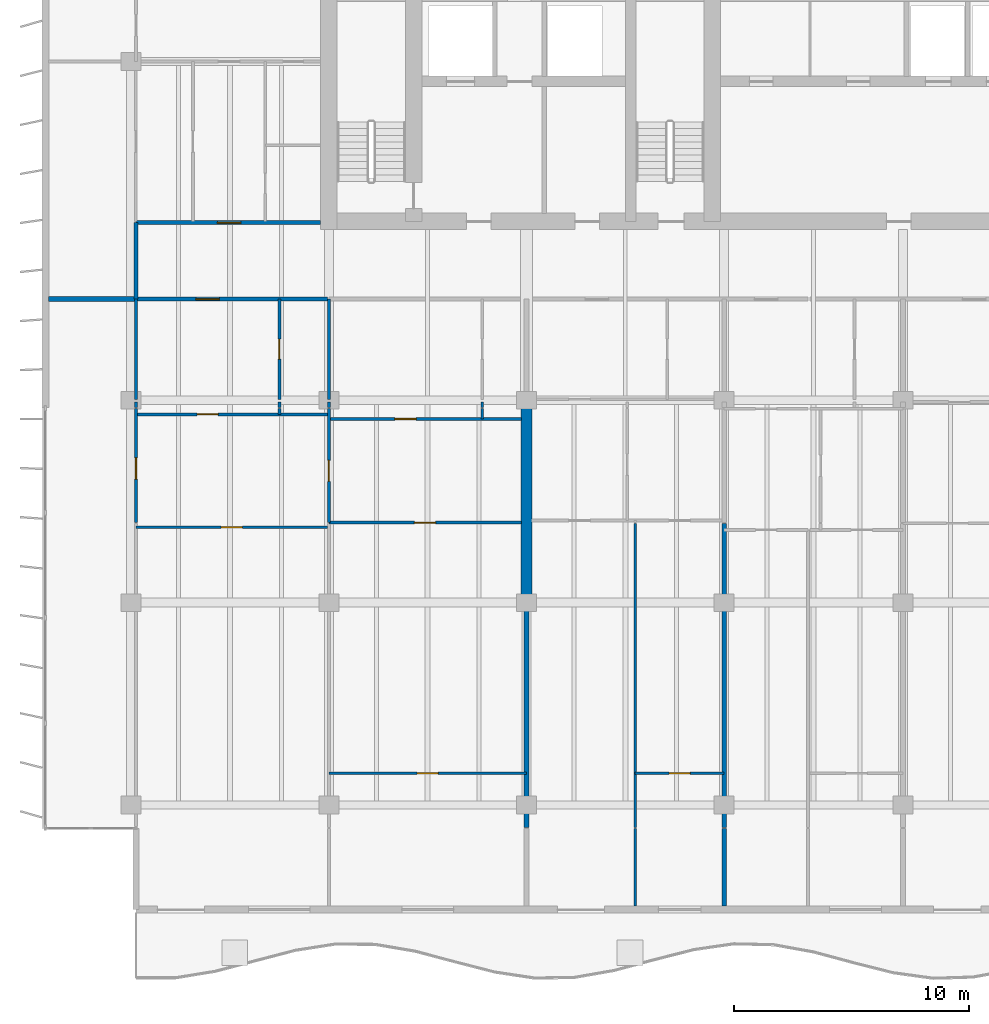
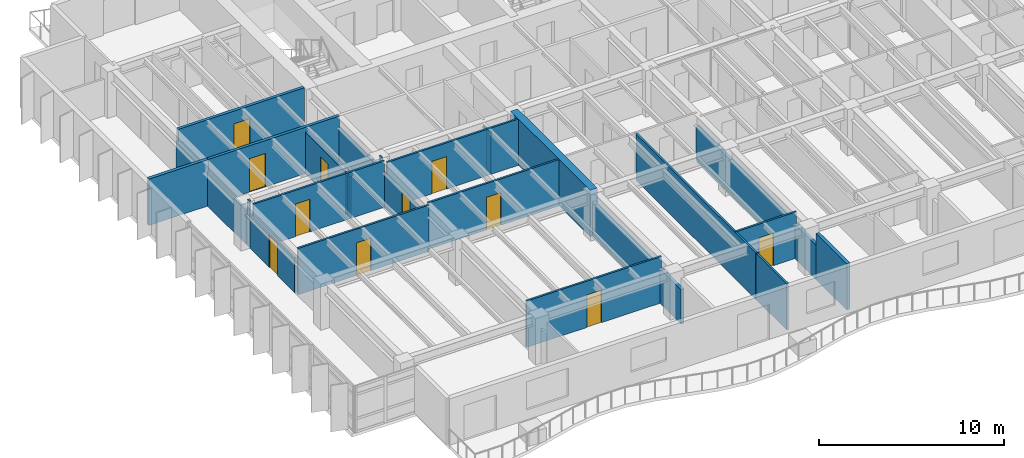
# One storey, part 8 of 19: 27 walls, 11 doors, 11 openings.
"""IFC4 building model written with IfcOpenShell, lengths in metres."""

from ifc_helpers import new_model, si_unit, direction, frame, frame_2d, origin, place, context, subcontext, project, spatial, rectangle, extrude, material, layer, layer_set, type_object, element, fill, save


model = new_model("IFC4")

# Units and contexts
model_context = context("Model", 3, precision=1e-05, world=origin(), true_north=direction((0.0, 1.0)))
body_context = subcontext(model_context, "Body", "Model", "MODEL_VIEW")
ifc_project = project(units=[si_unit("LENGTHUNIT", "METRE"), si_unit("AREAUNIT", "SQUARE_METRE"), si_unit("VOLUMEUNIT", "CUBIC_METRE"), si_unit("PLANEANGLEUNIT", "RADIAN"), si_unit("MASSUNIT", "GRAM", prefix="KILO")], contexts=[model_context])

# Site, building, storey
site_placement = place(None, origin())
site = spatial("IfcSite", under=ifc_project, at=site_placement, CompositionType="ELEMENT")
building_placement = place(site_placement, origin())
building = spatial("IfcBuilding", under=site, at=building_placement, Name="Caelmar Bay Residences", CompositionType="ELEMENT")
storey_placement = place(building_placement, frame((0.0, 0.0, 163.800048828125)))
storey = spatial("IfcBuildingStorey", under=building, at=storey_placement, Name="L45", CompositionType="ELEMENT", Elevation=163.800048828125)

# Walls
ifc_material_1 = material(Name="Concrete f'c 55 MPa (8,000 psi)", Category="concrete")
ifc_layer_1 = layer(ifc_material_1, 0.449951171875)
ifc_layer_set_1 = layer_set([ifc_layer_1], Name="Concrete f'c 55 MPa (8,000 psi)")
wall_type_1 = type_object("IfcWallType", Name="SW-XSLB-450", PredefinedType="SHEAR", material=ifc_layer_set_1)
wall_1_placement = place(storey_placement, frame((26.699951171875, 20.800048828125, 0.0), z_axis=(0.0, 0.0, 1.0), x_axis=(0.0, 1.0, 0.0)))
element("IfcWall", 1, at=wall_1_placement, inside=storey, type_object=wall_type_1, Name="L45 Transverse Cross-Slab Shear Wall W5", PredefinedType="SHEAR", context=body_context, shape_type="SweptSolid", body=[
    extrude(rectangle(XDim=8.599853515625, YDim=0.449951171875, at=frame_2d((4.2998046875, 0.0))), origin(), (0.0, 0.0, 1.0), 3.050048828125),
])
ifc_material_2 = material(Name="Double-stud acoustic fire-rated gypsum partition 180 mm")
ifc_layer_2 = layer(ifc_material_2, 0.179931640625)
ifc_layer_set_2 = layer_set([ifc_layer_2], Name="Double-stud acoustic fire-rated gypsum partition 180 mm")
wall_type_2 = type_object("IfcWallType", Name="W-COR-200", PredefinedType="PARTITIONING", material=ifc_layer_set_2)
wall_2_placement = place(storey_placement, frame((10.10009765625, 33.705078125, 0.0), z_axis=(0.0, 0.0, 1.0), x_axis=(0.0, 1.0, 0.0)))
element("IfcWall", 2, at=wall_2_placement, inside=storey, type_object=wall_type_2, Name="L45 Partition Wall V005", PredefinedType="PARTITIONING", context=body_context, shape_type="SweptSolid", body=[
    extrude(rectangle(XDim=3.244873046875, YDim=0.179931640625, at=frame_2d((1.62255859375, 0.0))), origin(), (0.0, 0.0, 1.0), 2.262939453125),
])

# Wall, opening, door
wall_3_placement = place(storey_placement, frame((10.10498046875, 33.699951171875, 0.0), z_axis=(0.0, 0.0, 1.0), x_axis=(1.0, 0.0, 0.0)))
wall_3 = element("IfcWall", 3, at=wall_3_placement, inside=storey, type_object=wall_type_2, Name="L45 Partition Wall H114", PredefinedType="PARTITIONING", context=body_context, shape_type="SweptSolid", body=[
    extrude(rectangle(XDim=8.14501953125, YDim=0.179931640625, at=frame_2d((4.072509765625, 0.0))), origin(), (0.0, 0.0, 1.0), 3.050048828125),
])
opening_1_placement = place(wall_3_placement, frame((2.54638671875, 0.0, 0.0)))
opening_1 = element("IfcOpeningElement", 4, at=opening_1_placement, cuts=wall_3, Name="Opening D-L45-122", PredefinedType="OPENING", context=body_context, shape_type="SweptSolid", body=[
    extrude(rectangle(XDim=1.0, YDim=2.199951171875, at=frame_2d((0.5, 1.10009765625))), frame((0.0, 0.099853515625, 0.0), z_axis=(0.0, -1.0, 0.0), x_axis=(1.0, 0.0, 0.0)), (0.0, 0.0, 1.0), 0.199951171875),
])
ifc_material_3 = material(Name="Fire-rated steel and walnut architectural door assembly", Category="steel")
ifc_layer_3 = layer(ifc_material_3, 0.050048828125)
ifc_layer_set_3 = layer_set([ifc_layer_3], Name="Fire-rated steel and walnut architectural door assembly")
door_type_1 = type_object("IfcDoorType", Name="D-UNIT-1000", OperationType="NOTDEFINED", PredefinedType="DOOR", material=ifc_layer_set_3)
door_1_placement = place(opening_1_placement, origin())
door_1 = element("IfcDoor", 5, at=door_1_placement, inside=storey, type_object=door_type_1, Name="L45 Residence 01 Apartment Hall Door", OperationType="SINGLE_SWING_RIGHT", OverallHeight=2.199951171875, OverallWidth=1.0, PredefinedType="DOOR", context=body_context, shape_type="SweptSolid", body=[
    extrude(rectangle(XDim=1.0, YDim=2.199951171875, at=frame_2d((0.5, 1.10009765625))), frame((0.0, 0.02490234375, 0.0), z_axis=(0.0, -1.0, 0.0), x_axis=(1.0, 0.0, 0.0)), (0.0, 0.0, 1.0), 0.050048828125),
])
fill(opening_1, door_1)

wall_4_placement = place(storey_placement, frame((10.10009765625, 36.949951171875, 0.0), z_axis=(0.0, 0.0, 1.0), x_axis=(1.0, 0.0, 0.0)))
wall_4 = element("IfcWall", 6, at=wall_4_placement, inside=storey, type_object=wall_type_2, Name="L45 Partition Wall H119", PredefinedType="PARTITIONING", context=body_context, shape_type="SweptSolid", body=[
    extrude(rectangle(XDim=7.844970703125, YDim=0.179931640625, at=frame_2d((3.92236328125, 0.0))), origin(), (0.0, 0.0, 1.0), 3.050048828125),
])
opening_2_placement = place(wall_4_placement, frame((3.4599609375, 0.0, 0.0)))
opening_2 = element("IfcOpeningElement", 7, at=opening_2_placement, cuts=wall_4, Name="Opening D-L45-165", PredefinedType="OPENING", context=body_context, shape_type="SweptSolid", body=[
    extrude(rectangle(XDim=1.0, YDim=2.199951171875, at=frame_2d((0.5, 1.10009765625))), frame((0.0, 0.099853515625, 0.0), z_axis=(0.0, -1.0, 0.0), x_axis=(1.0, 0.0, 0.0)), (0.0, 0.0, 1.0), 0.199951171875),
])
door_2_placement = place(opening_2_placement, origin())
door_2 = element("IfcDoor", 8, at=door_2_placement, inside=storey, type_object=door_type_1, Name="L45 Residence WA Kitchen Door", OperationType="SINGLE_SWING_LEFT", OverallHeight=2.199951171875, OverallWidth=1.0, PredefinedType="DOOR", context=body_context, shape_type="SweptSolid", body=[
    extrude(rectangle(XDim=1.0, YDim=2.199951171875, at=frame_2d((0.5, 1.10009765625))), frame((0.0, 0.02490234375, 0.0), z_axis=(0.0, -1.0, 0.0), x_axis=(1.0, 0.0, 0.0)), (0.0, 0.0, 1.0), 0.050048828125),
])
fill(opening_2, door_2)

ifc_material_4 = material(Name="Acoustic metal-stud gypsum partition 120 mm")
ifc_layer_4 = layer(ifc_material_4, 0.1201171875)
ifc_layer_set_4 = layer_set([ifc_layer_4], Name="Acoustic metal-stud gypsum partition 120 mm")
wall_type_3 = type_object("IfcWallType", Name="W-PRT-120", PredefinedType="PARTITIONING", material=ifc_layer_set_4)
wall_5_placement = place(storey_placement, frame((10.10009765625, 24.199951171875, 0.0), z_axis=(0.0, 0.0, 1.0), x_axis=(0.0, 1.0, 0.0)))
wall_5 = element("IfcWall", 9, at=wall_5_placement, inside=storey, type_object=wall_type_3, Name="L45 Partition Wall V002", PredefinedType="PARTITIONING", context=body_context, shape_type="SweptSolid", body=[
    extrude(rectangle(XDim=4.840087890625, YDim=0.1201171875, at=frame_2d((2.419921875, 0.0))), origin(), (0.0, 0.0, 1.0), 2.262939453125),
])
opening_3_placement = place(wall_5_placement, frame((1.85009765625, 0.0, 0.0)))
opening_3 = element("IfcOpeningElement", 10, at=opening_3_placement, cuts=wall_5, Name="Opening D-L45-162", PredefinedType="OPENING", context=body_context, shape_type="SweptSolid", body=[
    extrude(rectangle(XDim=0.89990234375, YDim=2.14990234375, at=frame_2d((0.449951171875, 1.074951171875))), frame((0.0, 0.070068359375, 0.0), z_axis=(0.0, -1.0, 0.0), x_axis=(1.0, 0.0, 0.0)), (0.0, 0.0, 1.0), 0.14013671875),
])
ifc_material_5 = material(Name="Solid walnut timber interior door leaf and frame", Category="wood")
ifc_layer_5 = layer(ifc_material_5, 0.050048828125)
ifc_layer_set_5 = layer_set([ifc_layer_5], Name="Solid walnut timber interior door leaf and frame")
door_type_2 = type_object("IfcDoorType", Name="D-ROOM-900", OperationType="NOTDEFINED", PredefinedType="DOOR", material=ifc_layer_set_5)
door_3_placement = place(opening_3_placement, origin())
door_3 = element("IfcDoor", 11, at=door_3_placement, inside=storey, type_object=door_type_2, Name="L45 Residence 01 Penthouse West Salon Door", OperationType="SINGLE_SWING_RIGHT", OverallHeight=2.14990234375, OverallWidth=0.89990234375, PredefinedType="DOOR", context=body_context, shape_type="SweptSolid", body=[
    extrude(rectangle(XDim=0.89990234375, YDim=2.14990234375, at=frame_2d((0.449951171875, 1.074951171875))), frame((0.0, 0.02490234375, 0.0), z_axis=(0.0, -1.0, 0.0), x_axis=(1.0, 0.0, 0.0)), (0.0, 0.0, 1.0), 0.050048828125),
])
fill(opening_3, door_3)

# Walls
wall_6_placement = place(storey_placement, frame((10.10009765625, 29.10009765625, 0.0), z_axis=(0.0, 0.0, 1.0), x_axis=(0.0, 1.0, 0.0)))
element("IfcWall", 12, at=wall_6_placement, inside=storey, type_object=wall_type_3, Name="L45 Partition Wall V003", PredefinedType="PARTITIONING", context=body_context, shape_type="SweptSolid", body=[
    extrude(rectangle(XDim=0.219970703125, YDim=0.1201171875, at=frame_2d((0.10986328125, 0.0))), origin(), (0.0, 0.0, 1.0), 3.050048828125),
])
wall_7_placement = place(storey_placement, frame((10.10009765625, 29.43994140625, 0.0), z_axis=(0.0, 0.0, 1.0), x_axis=(0.0, 1.0, 0.0)))
element("IfcWall", 13, at=wall_7_placement, inside=storey, type_object=wall_type_3, Name="L45 Partition Wall V004", PredefinedType="PARTITIONING", context=body_context, shape_type="SweptSolid", body=[
    extrude(rectangle(XDim=4.260009765625, YDim=0.1201171875, at=frame_2d((2.1298828125, 0.0))), origin(), (0.0, 0.0, 1.0), 2.262939453125),
])
wall_8_placement = place(storey_placement, frame((16.197998046875, 28.800048828125, 0.0), z_axis=(0.0, 0.0, 1.0), x_axis=(0.0, 1.0, 0.0)))
element("IfcWall", 14, at=wall_8_placement, inside=storey, type_object=wall_type_3, Name="L45 Partition Wall V010", PredefinedType="PARTITIONING", context=body_context, shape_type="SweptSolid", body=[
    extrude(rectangle(XDim=0.239990234375, YDim=0.1201171875, at=frame_2d((0.1201171875, 0.0))), origin(), (0.0, 0.0, 1.0), 2.724853515625),
])
wall_9_placement = place(storey_placement, frame((16.197998046875, 29.10009765625, 0.0), z_axis=(0.0, 0.0, 1.0), x_axis=(0.0, 1.0, 0.0)))
element("IfcWall", 15, at=wall_9_placement, inside=storey, type_object=wall_type_3, Name="L45 Partition Wall V011", PredefinedType="PARTITIONING", context=body_context, shape_type="SweptSolid", body=[
    extrude(rectangle(XDim=0.219970703125, YDim=0.1201171875, at=frame_2d((0.10986328125, 0.0))), origin(), (0.0, 0.0, 1.0), 2.724853515625),
])

# Wall, opening, door
wall_10_placement = place(storey_placement, frame((16.197998046875, 29.43994140625, 0.0), z_axis=(0.0, 0.0, 1.0), x_axis=(0.0, 1.0, 0.0)))
wall_10 = element("IfcWall", 16, at=wall_10_placement, inside=storey, type_object=wall_type_3, Name="L45 Partition Wall V012", PredefinedType="PARTITIONING", context=body_context, shape_type="SweptSolid", body=[
    extrude(rectangle(XDim=4.260009765625, YDim=0.1201171875, at=frame_2d((2.1298828125, 0.0))), origin(), (0.0, 0.0, 1.0), 2.724853515625),
])
opening_4_placement = place(wall_10_placement, frame((1.705078125, 0.0, 0.0)))
opening_4 = element("IfcOpeningElement", 17, at=opening_4_placement, cuts=wall_10, Name="Opening D-L45-123", PredefinedType="OPENING", context=body_context, shape_type="SweptSolid", body=[
    extrude(rectangle(XDim=0.85009765625, YDim=2.10009765625, at=frame_2d((0.425048828125, 1.050048828125))), frame((0.0, 0.070068359375, 0.0), z_axis=(0.0, -1.0, 0.0), x_axis=(1.0, 0.0, 0.0)), (0.0, 0.0, 1.0), 0.14013671875),
])
ifc_layer_6 = layer(ifc_material_5, 0.050048828125)
ifc_layer_set_6 = layer_set([ifc_layer_6], Name="Solid walnut timber interior door leaf and frame")
door_type_3 = type_object("IfcDoorType", Name="D-BATH-850", OperationType="NOTDEFINED", PredefinedType="DOOR", material=ifc_layer_set_6)
door_4_placement = place(opening_4_placement, origin())
door_4 = element("IfcDoor", 18, at=door_4_placement, inside=storey, type_object=door_type_3, Name="L45 Residence 01 Guest Bathroom Door", OperationType="SINGLE_SWING_LEFT", OverallHeight=2.10009765625, OverallWidth=0.85009765625, PredefinedType="DOOR", context=body_context, shape_type="SweptSolid", body=[
    extrude(rectangle(XDim=0.85009765625, YDim=2.10009765625, at=frame_2d((0.425048828125, 1.050048828125))), frame((0.0, 0.02490234375, 0.0), z_axis=(0.0, -1.0, 0.0), x_axis=(1.0, 0.0, 0.0)), (0.0, 0.0, 1.0), 0.050048828125),
])
fill(opening_4, door_4)

wall_11_placement = place(storey_placement, frame((18.300048828125, 24.199951171875, 0.0), z_axis=(0.0, 0.0, 1.0), x_axis=(0.0, 1.0, 0.0)))
wall_11 = element("IfcWall", 19, at=wall_11_placement, inside=storey, type_object=wall_type_3, Name="L45 Partition Wall V015", PredefinedType="PARTITIONING", context=body_context, shape_type="SweptSolid", body=[
    extrude(rectangle(XDim=4.840087890625, YDim=0.1201171875, at=frame_2d((2.419921875, 0.0))), origin(), (0.0, 0.0, 1.0), 2.262939453125),
])
opening_5_placement = place(wall_11_placement, frame((1.75, 0.0, 0.0)))
opening_5 = element("IfcOpeningElement", 20, at=opening_5_placement, cuts=wall_11, Name="Opening D-L45-126", PredefinedType="OPENING", context=body_context, shape_type="SweptSolid", body=[
    extrude(rectangle(XDim=0.89990234375, YDim=2.14990234375, at=frame_2d((0.449951171875, 1.074951171875))), frame((0.0, 0.070068359375, 0.0), z_axis=(0.0, -1.0, 0.0), x_axis=(1.0, 0.0, 0.0)), (0.0, 0.0, 1.0), 0.14013671875),
])
door_5_placement = place(opening_5_placement, origin())
door_5 = element("IfcDoor", 21, at=door_5_placement, inside=storey, type_object=door_type_2, Name="L45 Residence 01 Library Study 1 Door", OperationType="SINGLE_SWING_RIGHT", OverallHeight=2.14990234375, OverallWidth=0.89990234375, PredefinedType="DOOR", context=body_context, shape_type="SweptSolid", body=[
    extrude(rectangle(XDim=0.89990234375, YDim=2.14990234375, at=frame_2d((0.449951171875, 1.074951171875))), frame((0.0, 0.02490234375, 0.0), z_axis=(0.0, -1.0, 0.0), x_axis=(1.0, 0.0, 0.0)), (0.0, 0.0, 1.0), 0.050048828125),
])
fill(opening_5, door_5)

# Walls
wall_12_placement = place(storey_placement, frame((18.300048828125, 29.10009765625, 0.0), z_axis=(0.0, 0.0, 1.0), x_axis=(0.0, 1.0, 0.0)))
element("IfcWall", 22, at=wall_12_placement, inside=storey, type_object=wall_type_3, Name="L45 Partition Wall V016", PredefinedType="PARTITIONING", context=body_context, shape_type="SweptSolid", body=[
    extrude(rectangle(XDim=0.219970703125, YDim=0.1201171875, at=frame_2d((0.10986328125, 0.0))), origin(), (0.0, 0.0, 1.0), 3.050048828125),
])
wall_13_placement = place(storey_placement, frame((18.300048828125, 29.43994140625, 0.0), z_axis=(0.0, 0.0, 1.0), x_axis=(0.0, 1.0, 0.0)))
element("IfcWall", 23, at=wall_13_placement, inside=storey, type_object=wall_type_3, Name="L45 Partition Wall V017", PredefinedType="PARTITIONING", context=body_context, shape_type="SweptSolid", body=[
    extrude(rectangle(XDim=4.260009765625, YDim=0.1201171875, at=frame_2d((2.1298828125, 0.0))), origin(), (0.0, 0.0, 1.0), 2.262939453125),
])
wall_14_placement = place(storey_placement, frame((24.818115234375, 28.60009765625, 0.0), z_axis=(0.0, 0.0, 1.0), x_axis=(0.0, 1.0, 0.0)))
element("IfcWall", 24, at=wall_14_placement, inside=storey, type_object=wall_type_3, Name="L45 Partition Wall V019", PredefinedType="PARTITIONING", context=body_context, shape_type="SweptSolid", body=[
    extrude(rectangle(XDim=0.43994140625, YDim=0.1201171875, at=frame_2d((0.219970703125, 0.0))), origin(), (0.0, 0.0, 1.0), 2.724853515625),
])
wall_15_placement = place(storey_placement, frame((24.818115234375, 29.10009765625, 0.0), z_axis=(0.0, 0.0, 1.0), x_axis=(0.0, 1.0, 0.0)))
element("IfcWall", 25, at=wall_15_placement, inside=storey, type_object=wall_type_3, Name="L45 Partition Wall V020", PredefinedType="PARTITIONING", context=body_context, shape_type="SweptSolid", body=[
    extrude(rectangle(XDim=0.219970703125, YDim=0.1201171875, at=frame_2d((0.10986328125, 0.0))), origin(), (0.0, 0.0, 1.0), 2.724853515625),
])
wall_16_placement = place(storey_placement, frame((31.320068359375, 7.89501953125, 0.0), z_axis=(0.0, 0.0, 1.0), x_axis=(0.0, 1.0, 0.0)))
element("IfcWall", 26, at=wall_16_placement, inside=storey, type_object=wall_type_3, Name="L45 Partition Wall V030", PredefinedType="PARTITIONING", context=body_context, shape_type="SweptSolid", body=[
    extrude(rectangle(XDim=3.304931640625, YDim=0.1201171875, at=frame_2d((1.65234375, 0.0))), origin(), (0.0, 0.0, 1.0), 3.050048828125),
])
wall_17_placement = place(storey_placement, frame((31.320068359375, 11.239990234375, 0.0), z_axis=(0.0, 0.0, 1.0), x_axis=(0.0, 1.0, 0.0)))
element("IfcWall", 27, at=wall_17_placement, inside=storey, type_object=wall_type_3, Name="L45 Partition Wall V031", PredefinedType="PARTITIONING", context=body_context, shape_type="SweptSolid", body=[
    extrude(rectangle(XDim=12.929931640625, YDim=0.1201171875, at=frame_2d((6.46484375, 0.0))), origin(), (0.0, 0.0, 1.0), 3.050048828125),
])

# Wall, opening, door
wall_18_placement = place(storey_placement, frame((18.300048828125, 13.550048828125, 0.0), z_axis=(0.0, 0.0, 1.0), x_axis=(1.0, 0.0, 0.0)))
wall_18 = element("IfcWall", 28, at=wall_18_placement, inside=storey, type_object=wall_type_3, Name="L45 Partition Wall H092", PredefinedType="PARTITIONING", context=body_context, shape_type="SweptSolid", body=[
    extrude(rectangle(XDim=8.39990234375, YDim=0.1201171875, at=frame_2d((4.199951171875, 0.0))), origin(), (0.0, 0.0, 1.0), 3.050048828125),
])
opening_6_placement = place(wall_18_placement, frame((3.75, 0.0, 0.0)))
opening_6 = element("IfcOpeningElement", 29, at=opening_6_placement, cuts=wall_18, Name="Opening D-L45-130", PredefinedType="OPENING", context=body_context, shape_type="SweptSolid", body=[
    extrude(rectangle(XDim=0.89990234375, YDim=2.14990234375, at=frame_2d((0.449951171875, 1.074951171875))), frame((0.0, 0.070068359375, 0.0), z_axis=(0.0, -1.0, 0.0), x_axis=(1.0, 0.0, 0.0)), (0.0, 0.0, 1.0), 0.14013671875),
])
door_6_placement = place(opening_6_placement, origin())
door_6 = element("IfcDoor", 30, at=door_6_placement, inside=storey, type_object=door_type_2, Name="L45 Residence 01 Primary Bedroom 1 Door", OperationType="SINGLE_SWING_RIGHT", OverallHeight=2.14990234375, OverallWidth=0.89990234375, PredefinedType="DOOR", context=body_context, shape_type="SweptSolid", body=[
    extrude(rectangle(XDim=0.89990234375, YDim=2.14990234375, at=frame_2d((0.449951171875, 1.074951171875))), frame((0.0, 0.02490234375, 0.0), z_axis=(0.0, -1.0, 0.0), x_axis=(1.0, 0.0, 0.0)), (0.0, 0.0, 1.0), 0.050048828125),
])
fill(opening_6, door_6)

wall_19_placement = place(storey_placement, frame((31.320068359375, 13.550048828125, 0.0), z_axis=(0.0, 0.0, 1.0), x_axis=(1.0, 0.0, 0.0)))
wall_19 = element("IfcWall", 31, at=wall_19_placement, inside=storey, type_object=wall_type_3, Name="L45 Partition Wall H093", PredefinedType="PARTITIONING", context=body_context, shape_type="SweptSolid", body=[
    extrude(rectangle(XDim=3.780029296875, YDim=0.1201171875, at=frame_2d((1.89013671875, 0.0))), origin(), (0.0, 0.0, 1.0), 3.050048828125),
])
opening_7_placement = place(wall_19_placement, frame((1.43994140625, 0.0, 0.0)))
opening_7 = element("IfcOpeningElement", 32, at=opening_7_placement, cuts=wall_19, Name="Opening D-L45-137", PredefinedType="OPENING", context=body_context, shape_type="SweptSolid", body=[
    extrude(rectangle(XDim=0.89990234375, YDim=2.14990234375, at=frame_2d((0.449951171875, 1.074951171875))), frame((0.0, 0.070068359375, 0.0), z_axis=(0.0, -1.0, 0.0), x_axis=(1.0, 0.0, 0.0)), (0.0, 0.0, 1.0), 0.14013671875),
])
door_7_placement = place(opening_7_placement, origin())
door_7 = element("IfcDoor", 33, at=door_7_placement, inside=storey, type_object=door_type_2, Name="L45 Residence 02 Primary Bedroom Door", OperationType="SINGLE_SWING_LEFT", OverallHeight=2.14990234375, OverallWidth=0.89990234375, PredefinedType="DOOR", context=body_context, shape_type="SweptSolid", body=[
    extrude(rectangle(XDim=0.89990234375, YDim=2.14990234375, at=frame_2d((0.449951171875, 1.074951171875))), frame((0.0, 0.02490234375, 0.0), z_axis=(0.0, -1.0, 0.0), x_axis=(1.0, 0.0, 0.0)), (0.0, 0.0, 1.0), 0.050048828125),
])
fill(opening_7, door_7)

wall_20_placement = place(storey_placement, frame((10.10009765625, 24.0, 0.0), z_axis=(0.0, 0.0, 1.0), x_axis=(1.0, 0.0, 0.0)))
wall_20 = element("IfcWall", 34, at=wall_20_placement, inside=storey, type_object=wall_type_3, Name="L45 Partition Wall H099", PredefinedType="PARTITIONING", context=body_context, shape_type="SweptSolid", body=[
    extrude(rectangle(XDim=8.14990234375, YDim=0.1201171875, at=frame_2d((4.074951171875, 0.0))), origin(), (0.0, 0.0, 1.0), 3.050048828125),
])
opening_8_placement = place(wall_20_placement, frame((3.625, 0.0, 0.0)))
opening_8 = element("IfcOpeningElement", 35, at=opening_8_placement, cuts=wall_20, Name="Opening D-L45-125", PredefinedType="OPENING", context=body_context, shape_type="SweptSolid", body=[
    extrude(rectangle(XDim=0.89990234375, YDim=2.14990234375, at=frame_2d((0.449951171875, 1.074951171875))), frame((0.0, 0.070068359375, 0.0), z_axis=(0.0, -1.0, 0.0), x_axis=(1.0, 0.0, 0.0)), (0.0, 0.0, 1.0), 0.14013671875),
])
door_8_placement = place(opening_8_placement, origin())
door_8 = element("IfcDoor", 36, at=door_8_placement, inside=storey, type_object=door_type_2, Name="L45 Residence 01 Penthouse Living Salon Door", OperationType="SINGLE_SWING_LEFT", OverallHeight=2.14990234375, OverallWidth=0.89990234375, PredefinedType="DOOR", context=body_context, shape_type="SweptSolid", body=[
    extrude(rectangle(XDim=0.89990234375, YDim=2.14990234375, at=frame_2d((0.449951171875, 1.074951171875))), frame((0.0, 0.02490234375, 0.0), z_axis=(0.0, -1.0, 0.0), x_axis=(1.0, 0.0, 0.0)), (0.0, 0.0, 1.0), 0.050048828125),
])
fill(opening_8, door_8)

wall_21_placement = place(storey_placement, frame((18.300048828125, 24.199951171875, 0.0), z_axis=(0.0, 0.0, 1.0), x_axis=(1.0, 0.0, 0.0)))
wall_21 = element("IfcWall", 37, at=wall_21_placement, inside=storey, type_object=wall_type_3, Name="L45 Partition Wall H102", PredefinedType="PARTITIONING", context=body_context, shape_type="SweptSolid", body=[
    extrude(rectangle(XDim=8.179931640625, YDim=0.1201171875, at=frame_2d((4.08984375, 0.0))), origin(), (0.0, 0.0, 1.0), 3.050048828125),
])
opening_9_placement = place(wall_21_placement, frame((3.639892578125, 0.0, 0.0)))
opening_9 = element("IfcOpeningElement", 38, at=opening_9_placement, cuts=wall_21, Name="Opening D-L45-129", PredefinedType="OPENING", context=body_context, shape_type="SweptSolid", body=[
    extrude(rectangle(XDim=0.89990234375, YDim=2.14990234375, at=frame_2d((0.449951171875, 1.074951171875))), frame((0.0, 0.070068359375, 0.0), z_axis=(0.0, -1.0, 0.0), x_axis=(1.0, 0.0, 0.0)), (0.0, 0.0, 1.0), 0.14013671875),
])
door_9_placement = place(opening_9_placement, origin())
door_9 = element("IfcDoor", 39, at=door_9_placement, inside=storey, type_object=door_type_2, Name="L45 Residence 01 Penthouse Sitting Salon 1 Door", OperationType="SINGLE_SWING_LEFT", OverallHeight=2.14990234375, OverallWidth=0.89990234375, PredefinedType="DOOR", context=body_context, shape_type="SweptSolid", body=[
    extrude(rectangle(XDim=0.89990234375, YDim=2.14990234375, at=frame_2d((0.449951171875, 1.074951171875))), frame((0.0, 0.02490234375, 0.0), z_axis=(0.0, -1.0, 0.0), x_axis=(1.0, 0.0, 0.0)), (0.0, 0.0, 1.0), 0.050048828125),
])
fill(opening_9, door_9)

wall_22_placement = place(storey_placement, frame((18.300048828125, 28.60009765625, 0.0), z_axis=(0.0, 0.0, 1.0), x_axis=(1.0, 0.0, 0.0)))
wall_22 = element("IfcWall", 40, at=wall_22_placement, inside=storey, type_object=wall_type_3, Name="L45 Partition Wall H105", PredefinedType="PARTITIONING", context=body_context, shape_type="SweptSolid", body=[
    extrude(rectangle(XDim=8.179931640625, YDim=0.1201171875, at=frame_2d((4.08984375, 0.0))), origin(), (0.0, 0.0, 1.0), 3.050048828125),
])
opening_10_placement = place(wall_22_placement, frame((2.80908203125, 0.0, 0.0)))
opening_10 = element("IfcOpeningElement", 41, at=opening_10_placement, cuts=wall_22, Name="Opening D-L45-127", PredefinedType="OPENING", context=body_context, shape_type="SweptSolid", body=[
    extrude(rectangle(XDim=0.89990234375, YDim=2.14990234375, at=frame_2d((0.449951171875, 1.074951171875))), frame((0.0, 0.070068359375, 0.0), z_axis=(0.0, -1.0, 0.0), x_axis=(1.0, 0.0, 0.0)), (0.0, 0.0, 1.0), 0.14013671875),
])
door_10_placement = place(opening_10_placement, origin())
door_10 = element("IfcDoor", 42, at=door_10_placement, inside=storey, type_object=door_type_2, Name="L45 Residence 01 Home Office 1 Door", OperationType="SINGLE_SWING_LEFT", OverallHeight=2.14990234375, OverallWidth=0.89990234375, PredefinedType="DOOR", context=body_context, shape_type="SweptSolid", body=[
    extrude(rectangle(XDim=0.89990234375, YDim=2.14990234375, at=frame_2d((0.449951171875, 1.074951171875))), frame((0.0, 0.02490234375, 0.0), z_axis=(0.0, -1.0, 0.0), x_axis=(1.0, 0.0, 0.0)), (0.0, 0.0, 1.0), 0.050048828125),
])
fill(opening_10, door_10)

wall_23_placement = place(storey_placement, frame((10.10009765625, 28.800048828125, 0.0), z_axis=(0.0, 0.0, 1.0), x_axis=(1.0, 0.0, 0.0)))
wall_23 = element("IfcWall", 43, at=wall_23_placement, inside=storey, type_object=wall_type_3, Name="L45 Partition Wall H107", PredefinedType="PARTITIONING", context=body_context, shape_type="SweptSolid", body=[
    extrude(rectangle(XDim=8.14990234375, YDim=0.1201171875, at=frame_2d((4.074951171875, 0.0))), origin(), (0.0, 0.0, 1.0), 3.050048828125),
])
opening_11_placement = place(wall_23_placement, frame((2.59912109375, 0.0, 0.0)))
opening_11 = element("IfcOpeningElement", 44, at=opening_11_placement, cuts=wall_23, Name="Opening D-L45-124", PredefinedType="OPENING", context=body_context, shape_type="SweptSolid", body=[
    extrude(rectangle(XDim=0.89990234375, YDim=2.14990234375, at=frame_2d((0.449951171875, 1.074951171875))), frame((0.0, 0.070068359375, 0.0), z_axis=(0.0, -1.0, 0.0), x_axis=(1.0, 0.0, 0.0)), (0.0, 0.0, 1.0), 0.14013671875),
])
door_11_placement = place(opening_11_placement, origin())
door_11 = element("IfcDoor", 45, at=door_11_placement, inside=storey, type_object=door_type_2, Name="L45 Residence 01 Kitchen Door", OperationType="SINGLE_SWING_RIGHT", OverallHeight=2.14990234375, OverallWidth=0.89990234375, PredefinedType="DOOR", context=body_context, shape_type="SweptSolid", body=[
    extrude(rectangle(XDim=0.89990234375, YDim=2.14990234375, at=frame_2d((0.449951171875, 1.074951171875))), frame((0.0, 0.02490234375, 0.0), z_axis=(0.0, -1.0, 0.0), x_axis=(1.0, 0.0, 0.0)), (0.0, 0.0, 1.0), 0.050048828125),
])
fill(opening_11, door_11)

# Walls
ifc_material_6 = material(Name="Acoustic twin-stud fire-rated inter-tenancy partition 200 mm")
ifc_layer_7 = layer(ifc_material_6, 0.199951171875)
ifc_layer_set_7 = layer_set([ifc_layer_7], Name="Acoustic twin-stud fire-rated inter-tenancy partition 200 mm")
wall_type_4 = type_object("IfcWallType", Name="W-PTY-200", PredefinedType="PARTITIONING", material=ifc_layer_set_7)
wall_24_placement = place(storey_placement, frame((26.699951171875, 11.239990234375, 0.0), z_axis=(0.0, 0.0, 1.0), x_axis=(0.0, 1.0, 0.0)))
element("IfcWall", 46, at=wall_24_placement, inside=storey, type_object=wall_type_4, Name="L45 Partition Wall V024", PredefinedType="PARTITIONING", context=body_context, shape_type="SweptSolid", body=[
    extrude(rectangle(XDim=9.554931640625, YDim=0.199951171875, at=frame_2d((4.77734375, 0.0))), origin(), (0.0, 0.0, 1.0), 2.262939453125),
])
wall_25_placement = place(storey_placement, frame((35.10009765625, 7.89501953125, 0.0), z_axis=(0.0, 0.0, 1.0), x_axis=(0.0, 1.0, 0.0)))
element("IfcWall", 47, at=wall_25_placement, inside=storey, type_object=wall_type_4, Name="L45 Partition Wall V035", PredefinedType="PARTITIONING", context=body_context, shape_type="SweptSolid", body=[
    extrude(rectangle(XDim=3.304931640625, YDim=0.199951171875, at=frame_2d((1.65234375, 0.0))), origin(), (0.0, 0.0, 1.0), 3.050048828125),
])
wall_26_placement = place(storey_placement, frame((35.10009765625, 11.239990234375, 0.0), z_axis=(0.0, 0.0, 1.0), x_axis=(0.0, 1.0, 0.0)))
element("IfcWall", 48, at=wall_26_placement, inside=storey, type_object=wall_type_4, Name="L45 Partition Wall V036", PredefinedType="PARTITIONING", context=body_context, shape_type="SweptSolid", body=[
    extrude(rectangle(XDim=12.929931640625, YDim=0.199951171875, at=frame_2d((6.46484375, 0.0))), origin(), (0.0, 0.0, 1.0), 2.262939453125),
])
wall_27_placement = place(storey_placement, frame((6.39501953125, 33.699951171875, 0.0), z_axis=(0.0, 0.0, 1.0), x_axis=(1.0, 0.0, 0.0)))
element("IfcWall", 49, at=wall_27_placement, inside=storey, type_object=wall_type_4, Name="L45 Partition Wall H113", PredefinedType="PARTITIONING", context=body_context, shape_type="SweptSolid", body=[
    extrude(rectangle(XDim=3.705078125, YDim=0.199951171875, at=frame_2d((1.8525390625, 0.0))), origin(), (0.0, 0.0, 1.0), 3.050048828125),
])

save(model, "model.ifc")
